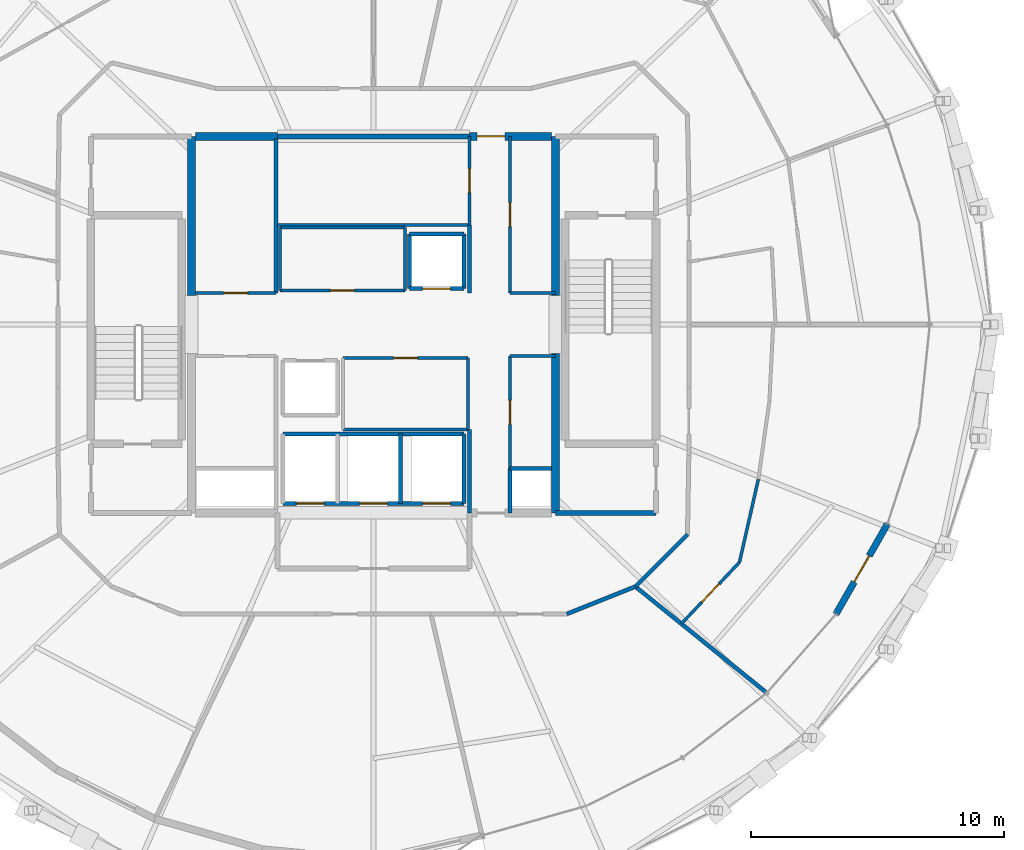
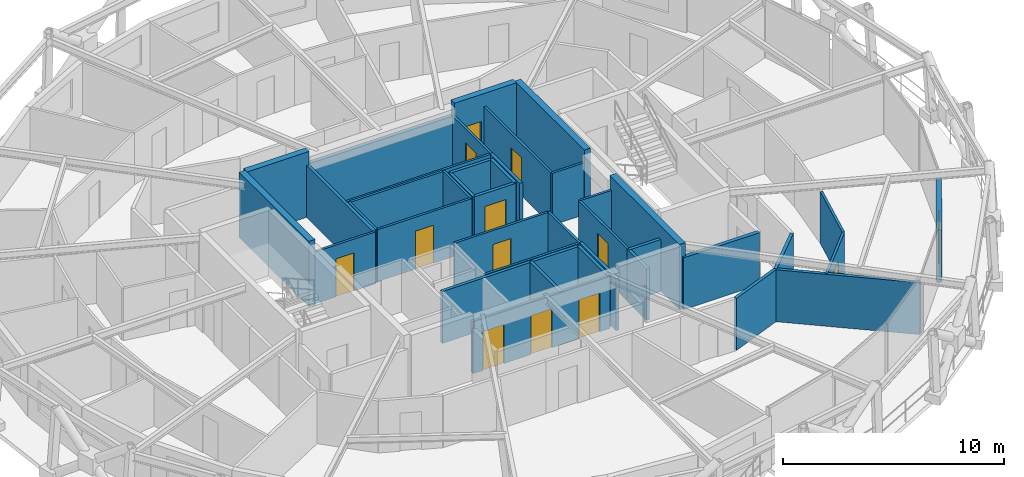
# One storey, part 13 of 17: 40 walls, 13 doors, 13 openings.
"""IFC4 building model written with IfcOpenShell, lengths in metres."""

from ifc_helpers import new_model, si_unit, direction, frame, frame_2d, origin, place, context, subcontext, project, spatial, rectangle, extrude, material, layer, layer_set, type_object, element, fill, save


model = new_model("IFC4")

# Units and contexts
model_context = context("Model", 3, precision=1e-05, world=origin(), true_north=direction((0.0, 1.0)))
body_context = subcontext(model_context, "Body", "Model", "MODEL_VIEW")
ifc_project = project(units=[si_unit("LENGTHUNIT", "METRE"), si_unit("AREAUNIT", "SQUARE_METRE"), si_unit("VOLUMEUNIT", "CUBIC_METRE"), si_unit("PLANEANGLEUNIT", "RADIAN"), si_unit("MASSUNIT", "GRAM", prefix="KILO")], contexts=[model_context])

# Site, building, storey
site_placement = place(None, origin())
site = spatial("IfcSite", under=ifc_project, at=site_placement, CompositionType="ELEMENT")
building_placement = place(site_placement, origin())
building = spatial("IfcBuilding", under=site, at=building_placement, Name="Veldorina Hangang Commons", CompositionType="ELEMENT")
storey_placement = place(building_placement, frame((0.0, 0.0, 229.199951171875)))
storey = spatial("IfcBuildingStorey", under=building, at=storey_placement, Name="L59", CompositionType="ELEMENT", Elevation=229.199951171875)

# Walls
ifc_material_1 = material(Name="Concrete C50/60", Category="concrete")
ifc_layer_1 = layer(ifc_material_1, 0.320068359375)
ifc_layer_set_1 = layer_set([ifc_layer_1], Name="Concrete C50/60")
wall_type_1 = type_object("IfcWallType", Name="CW-RC320-C50", PredefinedType="SHEAR", material=ifc_layer_set_1)
for number, where, z_axis, x_axis, name in (
    (1, (24.800048828125, 25.14990234375, 0.0), (0.0, 0.0, 1.0), (0.0, 1.0, 0.0), "L59 W north core shear wall"),
    (2, (39.199951171875, 16.550048828125, 0.0), (0.0, 0.0, 1.0), (0.0, 1.0, 0.0), "L59 E south core shear wall"),
    (3, (39.199951171875, 25.14990234375, 0.0), (0.0, 0.0, 1.0), (0.0, 1.0, 0.0), "L59 E north core shear wall"),
):
    element("IfcWall", number, at=place(storey_placement, frame(where, z_axis=z_axis, x_axis=x_axis)), inside=storey, type_object=wall_type_1, Name=name, PredefinedType="SHEAR", context=body_context, shape_type="SweptSolid", body=[
        extrude(rectangle(XDim=6.300048828125, YDim=0.320068359375, at=frame_2d((3.14990234375, 0.0))), origin(), (0.0, 0.0, 1.0), 3.60009765625),
    ])
wall_1_placement = place(storey_placement, frame((24.9599609375, 31.449951171875, 0.0), z_axis=(0.0, 0.0, 1.0), x_axis=(1.0, 0.0, 0.0)))
element("IfcWall", 4, at=wall_1_placement, inside=storey, type_object=wall_type_1, Name="L59 north-west core shear wall", PredefinedType="SHEAR", context=body_context, shape_type="SweptSolid", body=[
    extrude(rectangle(XDim=3.239990234375, YDim=0.320068359375, at=frame_2d((1.6201171875, 0.0))), origin(), (0.0, 0.0, 1.0), 3.60009765625),
])

# Wall, opening, door
wall_2_placement = place(storey_placement, frame((35.800048828125, 31.449951171875, 0.0), z_axis=(0.0, 0.0, 1.0), x_axis=(1.0, 0.0, 0.0)))
wall_2 = element("IfcWall", 5, at=wall_2_placement, inside=storey, type_object=wall_type_1, Name="L59 north-east core shear wall", PredefinedType="SHEAR", context=body_context, shape_type="SweptSolid", body=[
    extrude(rectangle(XDim=3.239990234375, YDim=0.320068359375, at=frame_2d((1.6201171875, 0.0))), origin(), (0.0, 0.0, 1.0), 3.60009765625),
])
opening_1_placement = place(wall_2_placement, frame((0.300048828125, 0.0, 0.0)))
opening_1 = element("IfcOpeningElement", 6, at=opening_1_placement, cuts=wall_2, Name="Opening D-08", PredefinedType="OPENING", context=body_context, shape_type="SweptSolid", body=[
    extrude(rectangle(XDim=1.10009765625, YDim=2.10009765625, at=frame_2d((0.550048828125, 1.050048828125))), frame((0.0, 0.169921875, 0.0), z_axis=(0.0, -1.0, 0.0), x_axis=(1.0, 0.0, 0.0)), (0.0, 0.0, 1.0), 0.340087890625),
])
ifc_material_2 = material(Name="Steel Fire-Rated Smoke Seal", Category="steel")
door_type_1 = type_object("IfcDoorType", Name="DR-FIRE-1100", OperationType="SINGLE_SWING_RIGHT", PredefinedType="DOOR", material=ifc_material_2)
door_1_placement = place(opening_1_placement, origin())
door_1 = element("IfcDoor", 7, at=door_1_placement, inside=storey, type_object=door_type_1, Name="L59 central lift lobby north corridor door", OperationType="SINGLE_SWING_LEFT", OverallHeight=2.10009765625, OverallWidth=1.10009765625, PredefinedType="DOOR", context=body_context, shape_type="SweptSolid", body=[
    extrude(rectangle(XDim=1.10009765625, YDim=2.10009765625, at=frame_2d((0.550048828125, 1.050048828125))), frame((0.0, 0.02490234375, 0.0), z_axis=(0.0, -1.0, 0.0), x_axis=(1.0, 0.0, 0.0)), (0.0, 0.0, 1.0), 0.050048828125),
])
fill(opening_1, door_1)

ifc_material_3 = material(Name="Stone Roman Travertine", Category="masonry")
ifc_layer_2 = layer(ifc_material_3, 0.260009765625)
ifc_layer_set_2 = layer_set([ifc_layer_2], Name="Stone Roman Travertine")
wall_type_2 = type_object("IfcWallType", Name="EW-LOGGIA-260", PredefinedType="STANDARD", material=ifc_layer_set_2)
wall_3_placement = place(storey_placement, frame((50.303955078125, 12.549560546875, 0.0), z_axis=(0.0, 0.0, 1.0), x_axis=(0.495824921759, 0.868422504869, 0.0)))
wall_3 = element("IfcWall", 8, at=wall_3_placement, inside=storey, type_object=wall_type_2, Name="L59 sky-garden loggia portal wall 29", PredefinedType="STANDARD", context=body_context, shape_type="SweptSolid", body=[
    extrude(rectangle(XDim=4.10302734375, YDim=0.260009765625, at=frame_2d((2.051513671875, 0.0))), origin(), (0.0, 0.0, 1.0), 2.880126953125),
])
opening_2_placement = place(wall_3_placement, frame((1.45166015625, 0.0, 0.0)))
opening_2 = element("IfcOpeningElement", 9, at=opening_2_placement, cuts=wall_3, Name="Opening BD-1200", PredefinedType="OPENING", context=body_context, shape_type="SweptSolid", body=[
    extrude(rectangle(XDim=1.199951171875, YDim=2.14990234375, at=frame_2d((0.60009765625, 1.074951171875))), frame((0.0, 0.14013671875, 0.0), z_axis=(0.0, -1.0, 0.0), x_axis=(1.0, 0.0, 0.0)), (0.0, 0.0, 1.0), 0.280029296875),
])
ifc_material_4 = material(Name="Glass Thermal Aluminium Frame", Category="aluminium")
door_type_2 = type_object("IfcDoorType", Name="DR-EXT-LOG1200", OperationType="SINGLE_SWING_LEFT", PredefinedType="DOOR", material=ifc_material_4)
door_2_placement = place(opening_2_placement, origin())
door_2 = element("IfcDoor", 10, at=door_2_placement, inside=storey, type_object=door_type_2, Name="L59 loggia glazed exterior door 29", OperationType="SINGLE_SWING_RIGHT", OverallHeight=2.14990234375, OverallWidth=1.199951171875, PredefinedType="DOOR", context=body_context, shape_type="SweptSolid", body=[
    extrude(rectangle(XDim=1.199951171875, YDim=2.14990234375, at=frame_2d((0.60009765625, 1.074951171875))), frame((0.0, 0.02490234375, 0.0), z_axis=(0.0, -1.0, 0.0), x_axis=(1.0, 0.0, 0.0)), (0.0, 0.0, 1.0), 0.050048828125),
])
fill(opening_2, door_2)

# Walls
ifc_material_5 = material(Name="Gypsum Fire-Rated Twin Stud Wall", Category="gypsum")
ifc_layer_3 = layer(ifc_material_5, 0.159912109375)
ifc_layer_set_3 = layer_set([ifc_layer_3], Name="Gypsum Fire-Rated Twin Stud Wall")
wall_type_3 = type_object("IfcWallType", Name="WL-FIRE-160", PredefinedType="SOLIDWALL", material=ifc_layer_set_3)
wall_4_placement = place(storey_placement, frame((35.800048828125, 16.550048828125, 0.0), z_axis=(0.0, 0.0, 1.0), x_axis=(0.0, 1.0, 0.0)))
element("IfcWall", 11, at=wall_4_placement, inside=storey, type_object=wall_type_3, Name="L59 Lift passage SW wall 009", PredefinedType="SOLIDWALL", context=body_context, shape_type="SweptSolid", body=[
    extrude(rectangle(XDim=3.300048828125, YDim=0.159912109375, at=frame_2d((1.64990234375, 0.0))), origin(), (0.0, 0.0, 1.0), 2.8701171875),
])
wall_5_placement = place(storey_placement, frame((37.39990234375, 16.550048828125, 0.0), z_axis=(0.0, 0.0, 1.0), x_axis=(0.0, 1.0, 0.0)))
element("IfcWall", 12, at=wall_5_placement, inside=storey, type_object=wall_type_3, Name="L59 Lift passage SE stub 010", PredefinedType="SOLIDWALL", context=body_context, shape_type="SweptSolid", body=[
    extrude(rectangle(XDim=1.75, YDim=0.159912109375, at=frame_2d((0.875, 0.0))), origin(), (0.0, 0.0, 1.0), 2.8701171875),
])
wall_6_placement = place(storey_placement, frame((35.800048828125, 25.25, 0.0), z_axis=(0.0, 0.0, 1.0), x_axis=(0.0, 1.0, 0.0)))
element("IfcWall", 13, at=wall_6_placement, inside=storey, type_object=wall_type_3, Name="L59 Lift passage NW lower wall 011", PredefinedType="SOLIDWALL", context=body_context, shape_type="SweptSolid", body=[
    extrude(rectangle(XDim=2.699951171875, YDim=0.159912109375, at=frame_2d((1.35009765625, 0.0))), origin(), (0.0, 0.0, 1.0), 2.8701171875),
])

# Wall, opening, door
wall_7_placement = place(storey_placement, frame((33.419921875, 25.419921875, 0.0), z_axis=(0.0, 0.0, 1.0), x_axis=(1.0, 0.0, 0.0)))
wall_7 = element("IfcWall", 14, at=wall_7_placement, inside=storey, type_object=wall_type_3, Name="L59 Mid-high front shaft wall 015", PredefinedType="SOLIDWALL", context=body_context, shape_type="SweptSolid", body=[
    extrude(rectangle(XDim=2.16015625, YDim=0.159912109375, at=frame_2d((1.080078125, 0.0))), origin(), (0.0, 0.0, 1.0), 2.8701171875),
])
opening_3_placement = place(wall_7_placement, frame((0.530029296875, 0.0, 0.0)))
opening_3 = element("IfcOpeningElement", 15, at=opening_3_placement, cuts=wall_7, Name="Opening LD-01", PredefinedType="OPENING", context=body_context, shape_type="SweptSolid", body=[
    extrude(rectangle(XDim=1.10009765625, YDim=2.14990234375, at=frame_2d((0.550048828125, 1.074951171875))), frame((0.0, 0.08984375, 0.0), z_axis=(0.0, -1.0, 0.0), x_axis=(1.0, 0.0, 0.0)), (0.0, 0.0, 1.0), 0.179931640625),
])
ifc_material_6 = material(Name="Stainless Steel Brushed Lift Door", Category="steel")
door_type_3 = type_object("IfcDoorType", Name="DR-LIFT-1100", OperationType="SLIDING_TO_LEFT", PredefinedType="DOOR", material=ifc_material_6)
door_3_placement = place(opening_3_placement, origin())
door_3 = element("IfcDoor", 16, at=door_3_placement, inside=storey, type_object=door_type_3, Name="L59 Lift PL-H1 landing door 006", OperationType="SLIDING_TO_RIGHT", OverallHeight=2.14990234375, OverallWidth=1.10009765625, PredefinedType="DOOR", context=body_context, shape_type="SweptSolid", body=[
    extrude(rectangle(XDim=1.10009765625, YDim=2.14990234375, at=frame_2d((0.550048828125, 1.074951171875))), frame((0.0, 0.02490234375, 0.0), z_axis=(0.0, -1.0, 0.0), x_axis=(1.0, 0.0, 0.0)), (0.0, 0.0, 1.0), 0.050048828125),
])
fill(opening_3, door_3)

# Walls
for number, where, z_axis, x_axis, name in (
    (17, (33.419921875, 27.580078125, 0.0), (0.0, 0.0, 1.0), (1.0, 0.0, 0.0), "L59 Mid-high rear shaft wall 016"),
    (18, (33.419921875, 25.419921875, 0.0), (0.0, 0.0, 1.0), (0.0, 1.0, 0.0), "L59 PL-H1 west shaft wall 017"),
    (19, (35.580078125, 25.419921875, 0.0), (0.0, 0.0, 1.0), (0.0, 1.0, 0.0), "L59 PL-H1 east shaft wall 018"),
):
    element("IfcWall", number, at=place(storey_placement, frame(where, z_axis=z_axis, x_axis=x_axis)), inside=storey, type_object=wall_type_3, Name=name, PredefinedType="SOLIDWALL", context=body_context, shape_type="SweptSolid", body=[
        extrude(rectangle(XDim=2.16015625, YDim=0.159912109375, at=frame_2d((1.080078125, 0.0))), origin(), (0.0, 0.0, 1.0), 2.8701171875),
    ])

# Wall, openings, doors
wall_8_placement = place(storey_placement, frame((28.419921875, 16.919921875, 0.0), z_axis=(0.0, 0.0, 1.0), x_axis=(1.0, 0.0, 0.0)))
wall_8 = element("IfcWall", 20, at=wall_8_placement, inside=storey, type_object=wall_type_3, Name="L59 Emergency front shaft wall 023", PredefinedType="SOLIDWALL", context=body_context, shape_type="SweptSolid", body=[
    extrude(rectangle(XDim=7.16015625, YDim=0.159912109375, at=frame_2d((3.580078125, 0.0))), origin(), (0.0, 0.0, 1.0), 2.8701171875),
])
opening_4_placement = place(wall_8_placement, frame((0.530029296875, 0.0, 0.0)))
opening_4 = element("IfcOpeningElement", 21, at=opening_4_placement, cuts=wall_8, Name="Opening LD-03", PredefinedType="OPENING", context=body_context, shape_type="SweptSolid", body=[
    extrude(rectangle(XDim=1.10009765625, YDim=2.14990234375, at=frame_2d((0.550048828125, 1.074951171875))), frame((0.0, 0.08984375, 0.0), z_axis=(0.0, -1.0, 0.0), x_axis=(1.0, 0.0, 0.0)), (0.0, 0.0, 1.0), 0.179931640625),
])
opening_5_placement = place(wall_8_placement, frame((3.030029296875, 0.0, 0.0)))
opening_5 = element("IfcOpeningElement", 22, at=opening_5_placement, cuts=wall_8, Name="Opening LD-03", PredefinedType="OPENING", context=body_context, shape_type="SweptSolid", body=[
    extrude(rectangle(XDim=1.10009765625, YDim=2.14990234375, at=frame_2d((0.550048828125, 1.074951171875))), frame((0.0, 0.08984375, 0.0), z_axis=(0.0, -1.0, 0.0), x_axis=(1.0, 0.0, 0.0)), (0.0, 0.0, 1.0), 0.179931640625),
])
opening_6_placement = place(wall_8_placement, frame((5.530029296875, 0.0, 0.0)))
opening_6 = element("IfcOpeningElement", 23, at=opening_6_placement, cuts=wall_8, Name="Opening LD-03", PredefinedType="OPENING", context=body_context, shape_type="SweptSolid", body=[
    extrude(rectangle(XDim=1.10009765625, YDim=2.14990234375, at=frame_2d((0.550048828125, 1.074951171875))), frame((0.0, 0.08984375, 0.0), z_axis=(0.0, -1.0, 0.0), x_axis=(1.0, 0.0, 0.0)), (0.0, 0.0, 1.0), 0.179931640625),
])
ifc_material_7 = material(Name="Stainless Steel Firefighting Lift Door", Category="steel")
door_type_4 = type_object("IfcDoorType", Name="DR-LIFT-FF1100", OperationType="SLIDING_TO_RIGHT", PredefinedType="DOOR", material=ifc_material_7)
door_4_placement = place(opening_4_placement, origin())
door_4 = element("IfcDoor", 24, at=door_4_placement, inside=storey, type_object=door_type_4, Name="L59 Emergency lift FFL-1 landing door 008", OperationType="SLIDING_TO_RIGHT", OverallHeight=2.14990234375, OverallWidth=1.10009765625, PredefinedType="DOOR", context=body_context, shape_type="SweptSolid", body=[
    extrude(rectangle(XDim=1.10009765625, YDim=2.14990234375, at=frame_2d((0.550048828125, 1.074951171875))), frame((0.0, 0.02490234375, 0.0), z_axis=(0.0, -1.0, 0.0), x_axis=(1.0, 0.0, 0.0)), (0.0, 0.0, 1.0), 0.050048828125),
])
fill(opening_4, door_4)
door_5_placement = place(opening_5_placement, origin())
door_5 = element("IfcDoor", 25, at=door_5_placement, inside=storey, type_object=door_type_4, Name="L59 Emergency lift FFL-2 landing door 009", OperationType="SLIDING_TO_RIGHT", OverallHeight=2.14990234375, OverallWidth=1.10009765625, PredefinedType="DOOR", context=body_context, shape_type="SweptSolid", body=[
    extrude(rectangle(XDim=1.10009765625, YDim=2.14990234375, at=frame_2d((0.550048828125, 1.074951171875))), frame((0.0, 0.02490234375, 0.0), z_axis=(0.0, -1.0, 0.0), x_axis=(1.0, 0.0, 0.0)), (0.0, 0.0, 1.0), 0.050048828125),
])
fill(opening_5, door_5)
door_6_placement = place(opening_6_placement, origin())
door_6 = element("IfcDoor", 26, at=door_6_placement, inside=storey, type_object=door_type_4, Name="L59 Emergency lift EVL-1 landing door 010", OperationType="SLIDING_TO_RIGHT", OverallHeight=2.14990234375, OverallWidth=1.10009765625, PredefinedType="DOOR", context=body_context, shape_type="SweptSolid", body=[
    extrude(rectangle(XDim=1.10009765625, YDim=2.14990234375, at=frame_2d((0.550048828125, 1.074951171875))), frame((0.0, 0.02490234375, 0.0), z_axis=(0.0, -1.0, 0.0), x_axis=(1.0, 0.0, 0.0)), (0.0, 0.0, 1.0), 0.050048828125),
])
fill(opening_6, door_6)

# Walls
wall_9_placement = place(storey_placement, frame((28.419921875, 19.679931640625, 0.0), z_axis=(0.0, 0.0, 1.0), x_axis=(1.0, 0.0, 0.0)))
element("IfcWall", 27, at=wall_9_placement, inside=storey, type_object=wall_type_3, Name="L59 Emergency rear shaft wall 024", PredefinedType="SOLIDWALL", context=body_context, shape_type="SweptSolid", body=[
    extrude(rectangle(XDim=7.16015625, YDim=0.159912109375, at=frame_2d((3.580078125, 0.0))), origin(), (0.0, 0.0, 1.0), 2.8701171875),
])
for number, where, z_axis, x_axis, name in (
    (28, (33.080078125, 16.919921875, 0.0), (0.0, 0.0, 1.0), (0.0, 1.0, 0.0), "L59 FFL-2 east shaft wall 027"),
    (29, (35.580078125, 16.919921875, 0.0), (0.0, 0.0, 1.0), (0.0, 1.0, 0.0), "L59 EVL-1 east shaft wall 028"),
):
    element("IfcWall", number, at=place(storey_placement, frame(where, z_axis=z_axis, x_axis=x_axis)), inside=storey, type_object=wall_type_3, Name=name, PredefinedType="SOLIDWALL", context=body_context, shape_type="SweptSolid", body=[
        extrude(rectangle(XDim=2.760009765625, YDim=0.159912109375, at=frame_2d((1.3798828125, 0.0))), origin(), (0.0, 0.0, 1.0), 2.8701171875),
    ])
wall_10_placement = place(storey_placement, frame((37.39990234375, 18.300048828125, 0.0), z_axis=(0.0, 0.0, 1.0), x_axis=(1.0, 0.0, 0.0)))
element("IfcWall", 30, at=wall_10_placement, inside=storey, type_object=wall_type_3, Name="L59 Plumbing riser wall 042", PredefinedType="SOLIDWALL", context=body_context, shape_type="SweptSolid", body=[
    extrude(rectangle(XDim=1.650146484375, YDim=0.159912109375, at=frame_2d((0.8251953125, 0.0))), origin(), (0.0, 0.0, 1.0), 2.8701171875),
])
wall_11_placement = place(storey_placement, frame((28.14990234375, 25.25, 0.0), z_axis=(0.0, 0.0, 1.0), x_axis=(0.0, 1.0, 0.0)))
element("IfcWall", 31, at=wall_11_placement, inside=storey, type_object=wall_type_3, Name="L59 NW core inner wall 043", PredefinedType="SOLIDWALL", context=body_context, shape_type="SweptSolid", body=[
    extrude(rectangle(XDim=6.10009765625, YDim=0.159912109375, at=frame_2d((3.050048828125, 0.0))), origin(), (0.0, 0.0, 1.0), 2.8701171875),
])
wall_12_placement = place(storey_placement, frame((39.650634765625, 12.550048828125, 0.0), z_axis=(0.0, 0.0, 1.0), x_axis=(0.92856882165, 0.371160266542, 0.0)))
element("IfcWall", 32, at=wall_12_placement, inside=storey, type_object=wall_type_3, Name="L59 Compact collar outer wall 27 077", PredefinedType="SOLIDWALL", context=body_context, shape_type="SweptSolid", body=[
    extrude(rectangle(XDim=2.923095703125, YDim=0.159912109375, at=frame_2d((1.46142578125, 0.0))), origin(), (0.0, 0.0, 1.0), 2.8701171875),
])
wall_13_placement = place(storey_placement, frame((42.364990234375, 13.635009765625, 0.0), z_axis=(0.0, 0.0, 1.0), x_axis=(0.707106781187, 0.707106781187, 0.0)))
element("IfcWall", 33, at=wall_13_placement, inside=storey, type_object=wall_type_3, Name="L59 Compact collar outer wall 28 078", PredefinedType="SOLIDWALL", context=body_context, shape_type="SweptSolid", body=[
    extrude(rectangle(XDim=2.915771484375, YDim=0.159912109375, at=frame_2d((1.4580078125, 0.0))), origin(), (0.0, 0.0, 1.0), 2.8701171875),
])
wall_14_placement = place(storey_placement, frame((42.364990234375, 13.635009765625, 0.0), z_axis=(0.0, 0.0, 1.0), x_axis=(0.777377556826, -0.629034286938, 0.0)))
element("IfcWall", 34, at=wall_14_placement, inside=storey, type_object=wall_type_3, Name="L59 Unit party wall 28 082", PredefinedType="SOLIDWALL", context=body_context, shape_type="SweptSolid", body=[
    extrude(rectangle(XDim=6.640625, YDim=0.159912109375, at=frame_2d((3.3203125, 0.0))), origin(), (0.0, 0.0, 1.0), 2.8701171875),
])
ifc_material_8 = material(Name="Concrete Blockwork Fire Wall C30/37", Category="masonry")
ifc_layer_4 = layer(ifc_material_8, 0.199951171875)
ifc_layer_set_4 = layer_set([ifc_layer_4], Name="Concrete Blockwork Fire Wall C30/37")
wall_type_4 = type_object("IfcWallType", Name="WL-FIRE-200", PredefinedType="SOLIDWALL", material=ifc_layer_set_4)
wall_15_placement = place(storey_placement, frame((39.199951171875, 16.550048828125, 0.0), z_axis=(0.0, 0.0, 1.0), x_axis=(1.0, 0.0, 0.0)))
element("IfcWall", 35, at=wall_15_placement, inside=storey, type_object=wall_type_4, Name="L59 SE core room south wall 008", PredefinedType="SOLIDWALL", context=body_context, shape_type="SweptSolid", body=[
    extrude(rectangle(XDim=3.97998046875, YDim=0.199951171875, at=frame_2d((1.989990234375, 0.0))), origin(), (0.0, 0.0, 1.0), 2.8701171875),
])
wall_16_placement = place(storey_placement, frame((28.199951171875, 31.449951171875, 0.0), z_axis=(0.0, 0.0, 1.0), x_axis=(1.0, 0.0, 0.0)))
element("IfcWall", 36, at=wall_16_placement, inside=storey, type_object=wall_type_4, Name="L59 Merged north core wall 029", PredefinedType="SOLIDWALL", context=body_context, shape_type="SweptSolid", body=[
    extrude(rectangle(XDim=7.60009765625, YDim=0.199951171875, at=frame_2d((3.800048828125, 0.0))), origin(), (0.0, 0.0, 1.0), 2.8701171875),
])
ifc_material_9 = material(Name="Gypsum Acoustic Stud Partition", Category="gypsum")
ifc_layer_5 = layer(ifc_material_9, 0.1201171875)
ifc_layer_set_5 = layer_set([ifc_layer_5], Name="Gypsum Acoustic Stud Partition")
wall_type_5 = type_object("IfcWallType", Name="WL-PART-120", PredefinedType="PARTITIONING", material=ifc_layer_set_5)
wall_17_placement = place(storey_placement, frame((28.199951171875, 27.949951171875, 0.0), z_axis=(0.0, 0.0, 1.0), x_axis=(1.0, 0.0, 0.0)))
element("IfcWall", 37, at=wall_17_placement, inside=storey, type_object=wall_type_5, Name="L59 Merged north south wall 030", PredefinedType="PARTITIONING", context=body_context, shape_type="SweptSolid", body=[
    extrude(rectangle(XDim=7.60009765625, YDim=0.1201171875, at=frame_2d((3.800048828125, 0.0))), origin(), (0.0, 0.0, 1.0), 2.8701171875),
])

# Wall, opening, door
wall_18_placement = place(storey_placement, frame((35.800048828125, 27.949951171875, 0.0), z_axis=(0.0, 0.0, 1.0), x_axis=(0.0, 1.0, 0.0)))
wall_18 = element("IfcWall", 38, at=wall_18_placement, inside=storey, type_object=wall_type_5, Name="L59 Merged north east wall 031", PredefinedType="PARTITIONING", context=body_context, shape_type="SweptSolid", body=[
    extrude(rectangle(XDim=3.5, YDim=0.1201171875, at=frame_2d((1.75, 0.0))), origin(), (0.0, 0.0, 1.0), 2.8701171875),
])
opening_7_placement = place(wall_18_placement, frame((1.27490234375, 0.0, 0.0)))
opening_7 = element("IfcOpeningElement", 39, at=opening_7_placement, cuts=wall_18, Name="Opening D-02", PredefinedType="OPENING", context=body_context, shape_type="SweptSolid", body=[
    extrude(rectangle(XDim=0.949951171875, YDim=2.10009765625, at=frame_2d((0.47509765625, 1.050048828125))), frame((0.0, 0.070068359375, 0.0), z_axis=(0.0, -1.0, 0.0), x_axis=(1.0, 0.0, 0.0)), (0.0, 0.0, 1.0), 0.14013671875),
])
ifc_material_10 = material(Name="Timber Solid Core Acoustic", Category="wood")
door_type_5 = type_object("IfcDoorType", Name="DR-INT-950", OperationType="SINGLE_SWING_LEFT", PredefinedType="DOOR", material=ifc_material_10)
door_7_placement = place(opening_7_placement, origin())
door_7 = element("IfcDoor", 40, at=door_7_placement, inside=storey, type_object=door_type_5, Name="L59 Merged north room lobby door 011", OperationType="SINGLE_SWING_LEFT", OverallHeight=2.10009765625, OverallWidth=0.949951171875, PredefinedType="DOOR", context=body_context, shape_type="SweptSolid", body=[
    extrude(rectangle(XDim=0.949951171875, YDim=2.10009765625, at=frame_2d((0.47509765625, 1.050048828125))), frame((0.0, 0.02490234375, 0.0), z_axis=(0.0, -1.0, 0.0), x_axis=(1.0, 0.0, 0.0)), (0.0, 0.0, 1.0), 0.050048828125),
])
fill(opening_7, door_7)

wall_19_placement = place(storey_placement, frame((28.300048828125, 25.35009765625, 0.0), z_axis=(0.0, 0.0, 1.0), x_axis=(1.0, 0.0, 0.0)))
wall_19 = element("IfcWall", 41, at=wall_19_placement, inside=storey, type_object=wall_type_5, Name="L59 Merged mid-bank south wall 032", PredefinedType="PARTITIONING", context=body_context, shape_type="SweptSolid", body=[
    extrude(rectangle(XDim=4.949951171875, YDim=0.1201171875, at=frame_2d((2.47509765625, 0.0))), origin(), (0.0, 0.0, 1.0), 2.8701171875),
])
opening_8_placement = place(wall_19_placement, frame((2.0, 0.0, 0.0)))
opening_8 = element("IfcOpeningElement", 42, at=opening_8_placement, cuts=wall_19, Name="Opening D-02", PredefinedType="OPENING", context=body_context, shape_type="SweptSolid", body=[
    extrude(rectangle(XDim=0.949951171875, YDim=2.10009765625, at=frame_2d((0.47509765625, 1.050048828125))), frame((0.0, 0.070068359375, 0.0), z_axis=(0.0, -1.0, 0.0), x_axis=(1.0, 0.0, 0.0)), (0.0, 0.0, 1.0), 0.14013671875),
])
door_8_placement = place(opening_8_placement, origin())
door_8 = element("IfcDoor", 43, at=door_8_placement, inside=storey, type_object=door_type_5, Name="L59 Quiet study room door 012", OperationType="SINGLE_SWING_RIGHT", OverallHeight=2.10009765625, OverallWidth=0.949951171875, PredefinedType="DOOR", context=body_context, shape_type="SweptSolid", body=[
    extrude(rectangle(XDim=0.949951171875, YDim=2.10009765625, at=frame_2d((0.47509765625, 1.050048828125))), frame((0.0, 0.02490234375, 0.0), z_axis=(0.0, -1.0, 0.0), x_axis=(1.0, 0.0, 0.0)), (0.0, 0.0, 1.0), 0.050048828125),
])
fill(opening_8, door_8)

# Walls
wall_20_placement = place(storey_placement, frame((28.300048828125, 27.85009765625, 0.0), z_axis=(0.0, 0.0, 1.0), x_axis=(1.0, 0.0, 0.0)))
element("IfcWall", 44, at=wall_20_placement, inside=storey, type_object=wall_type_5, Name="L59 Merged mid-bank north wall 033", PredefinedType="PARTITIONING", context=body_context, shape_type="SweptSolid", body=[
    extrude(rectangle(XDim=4.949951171875, YDim=0.1201171875, at=frame_2d((2.47509765625, 0.0))), origin(), (0.0, 0.0, 1.0), 2.8701171875),
])
for number, where, z_axis, x_axis, name in (
    (45, (28.300048828125, 25.35009765625, 0.0), (0.0, 0.0, 1.0), (0.0, 1.0, 0.0), "L59 Merged mid-bank west wall 034"),
    (46, (33.25, 25.35009765625, 0.0), (0.0, 0.0, 1.0), (0.0, 1.0, 0.0), "L59 Merged mid-bank east wall 035"),
):
    element("IfcWall", number, at=place(storey_placement, frame(where, z_axis=z_axis, x_axis=x_axis)), inside=storey, type_object=wall_type_5, Name=name, PredefinedType="PARTITIONING", context=body_context, shape_type="SweptSolid", body=[
        extrude(rectangle(XDim=2.5, YDim=0.1201171875, at=frame_2d((1.25, 0.0))), origin(), (0.0, 0.0, 1.0), 2.8701171875),
    ])

# Wall, opening, door
wall_21_placement = place(storey_placement, frame((30.800048828125, 22.679931640625, 0.0), z_axis=(0.0, 0.0, 1.0), x_axis=(1.0, 0.0, 0.0)))
wall_21 = element("IfcWall", 47, at=wall_21_placement, inside=storey, type_object=wall_type_5, Name="L59 Merged shuttle north wall 036", PredefinedType="PARTITIONING", context=body_context, shape_type="SweptSolid", body=[
    extrude(rectangle(XDim=4.949951171875, YDim=0.1201171875, at=frame_2d((2.47509765625, 0.0))), origin(), (0.0, 0.0, 1.0), 2.8701171875),
])
opening_9_placement = place(wall_21_placement, frame((2.0, 0.0, 0.0)))
opening_9 = element("IfcOpeningElement", 48, at=opening_9_placement, cuts=wall_21, Name="Opening D-02", PredefinedType="OPENING", context=body_context, shape_type="SweptSolid", body=[
    extrude(rectangle(XDim=0.949951171875, YDim=2.10009765625, at=frame_2d((0.47509765625, 1.050048828125))), frame((0.0, 0.070068359375, 0.0), z_axis=(0.0, -1.0, 0.0), x_axis=(1.0, 0.0, 0.0)), (0.0, 0.0, 1.0), 0.14013671875),
])
door_9_placement = place(opening_9_placement, origin())
door_9 = element("IfcDoor", 49, at=door_9_placement, inside=storey, type_object=door_type_5, Name="L59 Floor tea pantry door 013", OperationType="SINGLE_SWING_LEFT", OverallHeight=2.10009765625, OverallWidth=0.949951171875, PredefinedType="DOOR", context=body_context, shape_type="SweptSolid", body=[
    extrude(rectangle(XDim=0.949951171875, YDim=2.10009765625, at=frame_2d((0.47509765625, 1.050048828125))), frame((0.0, 0.02490234375, 0.0), z_axis=(0.0, -1.0, 0.0), x_axis=(1.0, 0.0, 0.0)), (0.0, 0.0, 1.0), 0.050048828125),
])
fill(opening_9, door_9)

# Walls
wall_22_placement = place(storey_placement, frame((30.800048828125, 19.85009765625, 0.0), z_axis=(0.0, 0.0, 1.0), x_axis=(1.0, 0.0, 0.0)))
element("IfcWall", 50, at=wall_22_placement, inside=storey, type_object=wall_type_5, Name="L59 Merged shuttle south wall 037", PredefinedType="PARTITIONING", context=body_context, shape_type="SweptSolid", body=[
    extrude(rectangle(XDim=4.949951171875, YDim=0.1201171875, at=frame_2d((2.47509765625, 0.0))), origin(), (0.0, 0.0, 1.0), 2.8701171875),
])
wall_23_placement = place(storey_placement, frame((35.75, 19.85009765625, 0.0), z_axis=(0.0, 0.0, 1.0), x_axis=(0.0, 1.0, 0.0)))
element("IfcWall", 51, at=wall_23_placement, inside=storey, type_object=wall_type_5, Name="L59 Merged shuttle east wall 039", PredefinedType="PARTITIONING", context=body_context, shape_type="SweptSolid", body=[
    extrude(rectangle(XDim=2.829833984375, YDim=0.1201171875, at=frame_2d((1.4150390625, 0.0))), origin(), (0.0, 0.0, 1.0), 2.8701171875),
])

# Wall, opening, door
wall_24_placement = place(storey_placement, frame((24.949951171875, 25.25, 0.0), z_axis=(0.0, 0.0, 1.0), x_axis=(1.0, 0.0, 0.0)))
wall_24 = element("IfcWall", 52, at=wall_24_placement, inside=storey, type_object=wall_type_5, Name="L59 NW service south wall 044", PredefinedType="PARTITIONING", context=body_context, shape_type="SweptSolid", body=[
    extrude(rectangle(XDim=3.199951171875, YDim=0.1201171875, at=frame_2d((1.60009765625, 0.0))), origin(), (0.0, 0.0, 1.0), 2.8701171875),
])
opening_10_placement = place(wall_24_placement, frame((1.125, 0.0, 0.0)))
opening_10 = element("IfcOpeningElement", 53, at=opening_10_placement, cuts=wall_24, Name="Opening D-02", PredefinedType="OPENING", context=body_context, shape_type="SweptSolid", body=[
    extrude(rectangle(XDim=0.949951171875, YDim=2.10009765625, at=frame_2d((0.47509765625, 1.050048828125))), frame((0.0, 0.070068359375, 0.0), z_axis=(0.0, -1.0, 0.0), x_axis=(1.0, 0.0, 0.0)), (0.0, 0.0, 1.0), 0.14013671875),
])
door_10_placement = place(opening_10_placement, origin())
door_10 = element("IfcDoor", 54, at=door_10_placement, inside=storey, type_object=door_type_5, Name="L59 Housekeeping store door 014", OperationType="SINGLE_SWING_RIGHT", OverallHeight=2.10009765625, OverallWidth=0.949951171875, PredefinedType="DOOR", context=body_context, shape_type="SweptSolid", body=[
    extrude(rectangle(XDim=0.949951171875, YDim=2.10009765625, at=frame_2d((0.47509765625, 1.050048828125))), frame((0.0, 0.02490234375, 0.0), z_axis=(0.0, -1.0, 0.0), x_axis=(1.0, 0.0, 0.0)), (0.0, 0.0, 1.0), 0.050048828125),
])
fill(opening_10, door_10)

wall_25_placement = place(storey_placement, frame((37.39990234375, 25.25, 0.0), z_axis=(0.0, 0.0, 1.0), x_axis=(0.0, 1.0, 0.0)))
wall_25 = element("IfcWall", 55, at=wall_25_placement, inside=storey, type_object=wall_type_5, Name="L59 NE strip lobby wall 046", PredefinedType="PARTITIONING", context=body_context, shape_type="SweptSolid", body=[
    extrude(rectangle(XDim=6.199951171875, YDim=0.1201171875, at=frame_2d((3.10009765625, 0.0))), origin(), (0.0, 0.0, 1.0), 2.8701171875),
])
opening_11_placement = place(wall_25_placement, frame((2.625, 0.0, 0.0)))
opening_11 = element("IfcOpeningElement", 56, at=opening_11_placement, cuts=wall_25, Name="Opening D-02", PredefinedType="OPENING", context=body_context, shape_type="SweptSolid", body=[
    extrude(rectangle(XDim=0.949951171875, YDim=2.10009765625, at=frame_2d((0.47509765625, 1.050048828125))), frame((0.0, 0.070068359375, 0.0), z_axis=(0.0, -1.0, 0.0), x_axis=(1.0, 0.0, 0.0)), (0.0, 0.0, 1.0), 0.14013671875),
])
door_11_placement = place(opening_11_placement, origin())
door_11 = element("IfcDoor", 57, at=door_11_placement, inside=storey, type_object=door_type_5, Name="L59 Comms room door 016", OperationType="SINGLE_SWING_RIGHT", OverallHeight=2.10009765625, OverallWidth=0.949951171875, PredefinedType="DOOR", context=body_context, shape_type="SweptSolid", body=[
    extrude(rectangle(XDim=0.949951171875, YDim=2.10009765625, at=frame_2d((0.47509765625, 1.050048828125))), frame((0.0, 0.02490234375, 0.0), z_axis=(0.0, -1.0, 0.0), x_axis=(1.0, 0.0, 0.0)), (0.0, 0.0, 1.0), 0.050048828125),
])
fill(opening_11, door_11)

# Wall
wall_26_placement = place(storey_placement, frame((37.39990234375, 25.25, 0.0), z_axis=(0.0, 0.0, 1.0), x_axis=(1.0, 0.0, 0.0)))
element("IfcWall", 58, at=wall_26_placement, inside=storey, type_object=wall_type_5, Name="L59 NE strip south return wall 047", PredefinedType="PARTITIONING", context=body_context, shape_type="SweptSolid", body=[
    extrude(rectangle(XDim=1.800048828125, YDim=0.1201171875, at=frame_2d((0.89990234375, 0.0))), origin(), (0.0, 0.0, 1.0), 2.8701171875),
])

# Wall, opening, door
wall_27_placement = place(storey_placement, frame((37.39990234375, 18.300048828125, 0.0), z_axis=(0.0, 0.0, 1.0), x_axis=(0.0, 1.0, 0.0)))
wall_27 = element("IfcWall", 59, at=wall_27_placement, inside=storey, type_object=wall_type_5, Name="L59 SE strip lobby wall 048", PredefinedType="PARTITIONING", context=body_context, shape_type="SweptSolid", body=[
    extrude(rectangle(XDim=4.449951171875, YDim=0.1201171875, at=frame_2d((2.22509765625, 0.0))), origin(), (0.0, 0.0, 1.0), 2.8701171875),
])
opening_12_placement = place(wall_27_placement, frame((1.75, 0.0, 0.0)))
opening_12 = element("IfcOpeningElement", 60, at=opening_12_placement, cuts=wall_27, Name="Opening D-02", PredefinedType="OPENING", context=body_context, shape_type="SweptSolid", body=[
    extrude(rectangle(XDim=0.949951171875, YDim=2.10009765625, at=frame_2d((0.47509765625, 1.050048828125))), frame((0.0, 0.070068359375, 0.0), z_axis=(0.0, -1.0, 0.0), x_axis=(1.0, 0.0, 0.0)), (0.0, 0.0, 1.0), 0.14013671875),
])
door_12_placement = place(opening_12_placement, origin())
door_12 = element("IfcDoor", 61, at=door_12_placement, inside=storey, type_object=door_type_5, Name="L59 BMS closet door 017", OperationType="SINGLE_SWING_LEFT", OverallHeight=2.10009765625, OverallWidth=0.949951171875, PredefinedType="DOOR", context=body_context, shape_type="SweptSolid", body=[
    extrude(rectangle(XDim=0.949951171875, YDim=2.10009765625, at=frame_2d((0.47509765625, 1.050048828125))), frame((0.0, 0.02490234375, 0.0), z_axis=(0.0, -1.0, 0.0), x_axis=(1.0, 0.0, 0.0)), (0.0, 0.0, 1.0), 0.050048828125),
])
fill(opening_12, door_12)

# Wall
wall_28_placement = place(storey_placement, frame((37.39990234375, 22.75, 0.0), z_axis=(0.0, 0.0, 1.0), x_axis=(1.0, 0.0, 0.0)))
element("IfcWall", 62, at=wall_28_placement, inside=storey, type_object=wall_type_5, Name="L59 SE strip north return wall 049", PredefinedType="PARTITIONING", context=body_context, shape_type="SweptSolid", body=[
    extrude(rectangle(XDim=1.800048828125, YDim=0.1201171875, at=frame_2d((0.89990234375, 0.0))), origin(), (0.0, 0.0, 1.0), 2.8701171875),
])

# Wall, opening, door
wall_29_placement = place(storey_placement, frame((44.185302734375, 12.162109375, 0.0), z_axis=(0.0, 0.0, 1.0), x_axis=(0.686726331668, 0.726916051132, 0.0)))
wall_29 = element("IfcWall", 63, at=wall_29_placement, inside=storey, type_object=wall_type_5, Name="L59 Lounge alcove split 0 083", PredefinedType="PARTITIONING", context=body_context, shape_type="SweptSolid", body=[
    extrude(rectangle(XDim=3.34716796875, YDim=0.1201171875, at=frame_2d((1.673583984375, 0.0))), origin(), (0.0, 0.0, 1.0), 2.8701171875),
])
opening_13_placement = place(wall_29_placement, frame((1.173583984375, 0.0, 0.0)))
opening_13 = element("IfcOpeningElement", 64, at=opening_13_placement, cuts=wall_29, Name="Opening D-05", PredefinedType="OPENING", context=body_context, shape_type="SweptSolid", body=[
    extrude(rectangle(XDim=1.0, YDim=2.10009765625, at=frame_2d((0.5, 1.050048828125))), frame((0.0, 0.070068359375, 0.0), z_axis=(0.0, -1.0, 0.0), x_axis=(1.0, 0.0, 0.0)), (0.0, 0.0, 1.0), 0.14013671875),
])
door_type_6 = type_object("IfcDoorType", Name="DR-INT-1000", OperationType="SINGLE_SWING_RIGHT", PredefinedType="DOOR", material=ifc_material_10)
door_13_placement = place(opening_13_placement, origin())
door_13 = element("IfcDoor", 65, at=door_13_placement, inside=storey, type_object=door_type_6, Name="L59 Commons lounge door 019", OperationType="SINGLE_SWING_LEFT", OverallHeight=2.10009765625, OverallWidth=1.0, PredefinedType="DOOR", context=body_context, shape_type="SweptSolid", body=[
    extrude(rectangle(XDim=1.0, YDim=2.10009765625, at=frame_2d((0.5, 1.050048828125))), frame((0.0, 0.02490234375, 0.0), z_axis=(0.0, -1.0, 0.0), x_axis=(1.0, 0.0, 0.0)), (0.0, 0.0, 1.0), 0.050048828125),
])
fill(opening_13, door_13)

# Wall
wall_30_placement = place(storey_placement, frame((46.48388671875, 14.59521484375, 0.0), z_axis=(0.0, 0.0, 1.0), x_axis=(0.221671233184, 0.975121461346, 0.0)))
element("IfcWall", 66, at=wall_30_placement, inside=storey, type_object=wall_type_5, Name="L59 Lounge alcove split 1 084", PredefinedType="PARTITIONING", context=body_context, shape_type="SweptSolid", body=[
    extrude(rectangle(XDim=3.367919921875, YDim=0.1201171875, at=frame_2d((1.68408203125, 0.0))), origin(), (0.0, 0.0, 1.0), 2.8701171875),
])

save(model, "model.ifc")
